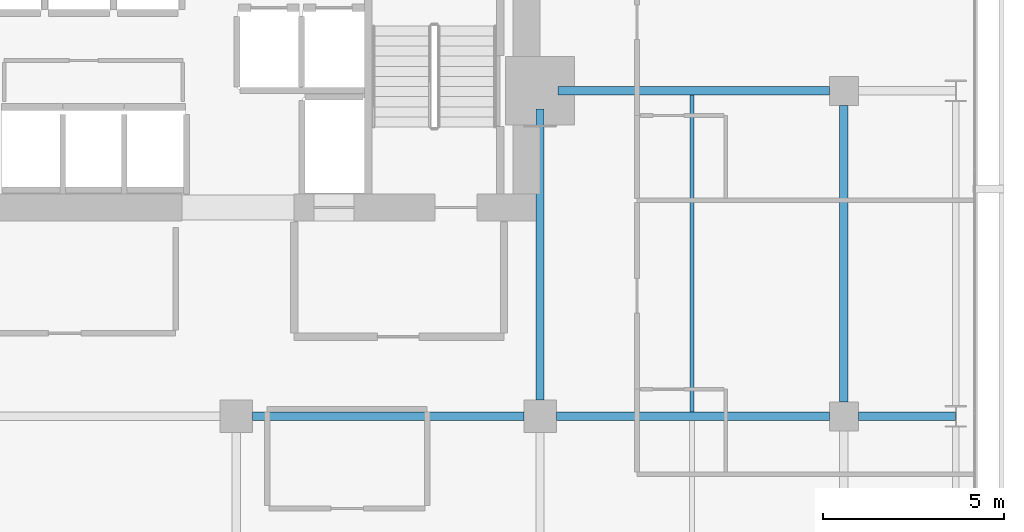
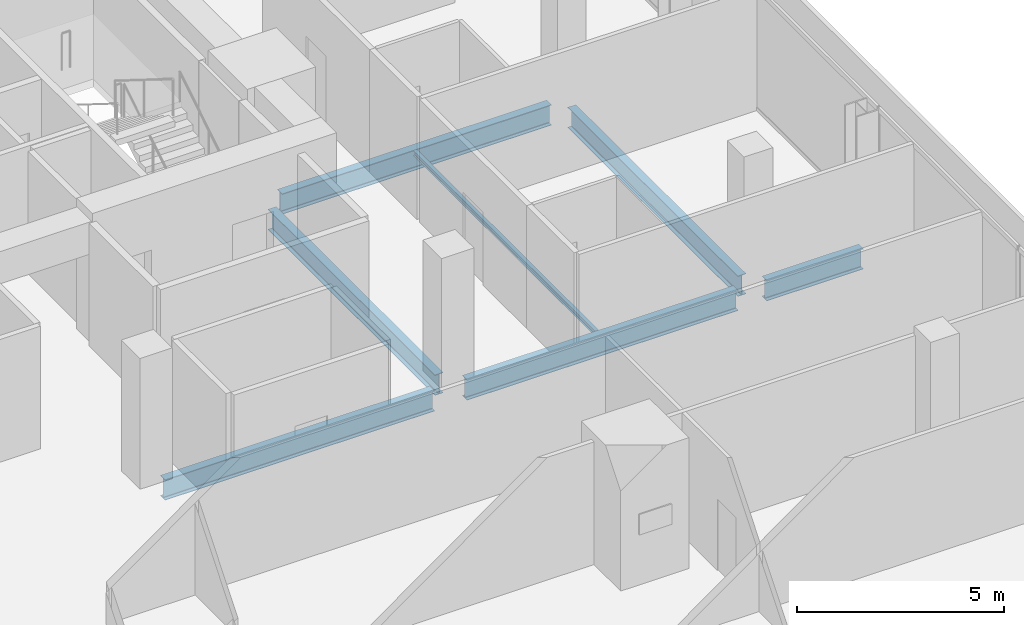
# One storey, part 23 of 34: 7 beams.
"""IFC4 building model written with IfcOpenShell, lengths in metres."""

from ifc_helpers import new_model, si_unit, direction, frame, origin, origin_2d, place, context, subcontext, project, spatial, i_section, extrude, material, material_profile, profile_set, type_object, element, save


model = new_model("IFC4")

# Units and contexts
model_context = context("Model", 3, precision=1e-05, world=origin(), true_north=direction((0.0, 1.0)))
body_context = subcontext(model_context, "Body", "Model", "MODEL_VIEW")
ifc_project = project(units=[si_unit("LENGTHUNIT", "METRE"), si_unit("AREAUNIT", "SQUARE_METRE"), si_unit("VOLUMEUNIT", "CUBIC_METRE"), si_unit("PLANEANGLEUNIT", "RADIAN"), si_unit("MASSUNIT", "GRAM", prefix="KILO")], contexts=[model_context])

# Site, building, storey
site_placement = place(None, origin())
site = spatial("IfcSite", under=ifc_project, at=site_placement, CompositionType="ELEMENT")
building_placement = place(site_placement, origin())
building = spatial("IfcBuilding", under=site, at=building_placement, Name="Maruvema Waterfront Hotel and Observation Tower", CompositionType="ELEMENT")
storey_placement = place(building_placement, frame((0.0, 0.0, 185.14990234375)))
storey = spatial("IfcBuildingStorey", under=building, at=storey_placement, Name="L45", CompositionType="ELEMENT", Elevation=185.14990234375)

# Beams
ifc_material_1 = material(Name="Steel ASTM A572 Grade 50", Category="steel")
ifc_material_profile_1 = material_profile(ifc_material_1, i_section(OverallWidth=0.22802734375, OverallDepth=0.60302734375, WebThickness=0.010498046875, FlangeThickness=0.014892578125, FilletRadius=0.01806640625, at=origin_2d()), Name="W610x101.0")
ifc_profile_set_1 = profile_set([ifc_material_profile_1], Name="Steel ASTM A572 Grade 50")
beam_type_1 = type_object("IfcBeamType", Name="Primary Floor Girder W610x101.0", PredefinedType="BEAM", material=ifc_profile_set_1)
beam_1_placement = place(storey_placement, frame((42.449951171875, 36.0, -0.54150390625), z_axis=(1.0, 0.0, 0.0), x_axis=(0.0, 1.0, 0.0)))
element("IfcBeam", 1, at=beam_1_placement, inside=storey, type_object=beam_type_1, Name="L45 Floor Girder EW-27", PredefinedType="BEAM", context=body_context, shape_type="SweptSolid", body=[
    extrude(i_section(OverallWidth=0.22802734375, OverallDepth=0.60302734375, WebThickness=0.010498046875, FlangeThickness=0.014892578125, FilletRadius=0.01806640625, at=origin_2d()), origin(), (0.0, 0.0, 1.0), 7.5),
])
beam_2_placement = place(storey_placement, frame((50.85009765625, 36.0, -0.54150390625), z_axis=(1.0, 0.0, 0.0), x_axis=(0.0, 1.0, 0.0)))
element("IfcBeam", 2, at=beam_2_placement, inside=storey, type_object=beam_type_1, Name="L45 Floor Girder EW-28", PredefinedType="BEAM", context=body_context, shape_type="SweptSolid", body=[
    extrude(i_section(OverallWidth=0.22802734375, OverallDepth=0.60302734375, WebThickness=0.010498046875, FlangeThickness=0.014892578125, FilletRadius=0.01806640625, at=origin_2d()), origin(), (0.0, 0.0, 1.0), 7.5498046875),
])
beam_3_placement = place(storey_placement, frame((59.199951171875, 36.0, -0.54150390625), z_axis=(1.0, 0.0, 0.0), x_axis=(0.0, 1.0, 0.0)))
element("IfcBeam", 3, at=beam_3_placement, inside=storey, type_object=beam_type_1, Name="L45 Floor Girder EW-29", PredefinedType="BEAM", context=body_context, shape_type="SweptSolid", body=[
    extrude(i_section(OverallWidth=0.22802734375, OverallDepth=0.60302734375, WebThickness=0.010498046875, FlangeThickness=0.014892578125, FilletRadius=0.01806640625, at=origin_2d()), origin(), (0.0, 0.0, 1.0), 2.6875),
])
beam_4_placement = place(storey_placement, frame((50.89990234375, 45.0, -0.54150390625), z_axis=(1.0, 0.0, 0.0), x_axis=(0.0, 1.0, 0.0)))
element("IfcBeam", 4, at=beam_4_placement, inside=storey, type_object=beam_type_1, Name="L45 Floor Girder EW-32", PredefinedType="BEAM", context=body_context, shape_type="SweptSolid", body=[
    extrude(i_section(OverallWidth=0.22802734375, OverallDepth=0.60302734375, WebThickness=0.010498046875, FlangeThickness=0.014892578125, FilletRadius=0.01806640625, at=origin_2d()), origin(), (0.0, 0.0, 1.0), 7.5),
])
beam_5_placement = place(storey_placement, frame((50.39990234375, 36.449951171875, -0.54150390625), z_axis=(0.0, 1.0, 0.0), x_axis=(-1.0, 0.0, 0.0)))
element("IfcBeam", 5, at=beam_5_placement, inside=storey, type_object=beam_type_1, Name="L45 Floor Girder NS-24", PredefinedType="BEAM", context=body_context, shape_type="SweptSolid", body=[
    extrude(i_section(OverallWidth=0.22802734375, OverallDepth=0.60302734375, WebThickness=0.010498046875, FlangeThickness=0.014892578125, FilletRadius=0.01806640625, at=origin_2d()), origin(), (0.0, 0.0, 1.0), 8.050048828125),
])
beam_6_placement = place(storey_placement, frame((58.800048828125, 36.39990234375, -0.54150390625), z_axis=(0.0, 1.0, 0.0), x_axis=(-1.0, 0.0, 0.0)))
element("IfcBeam", 6, at=beam_6_placement, inside=storey, type_object=beam_type_1, Name="L45 Floor Girder NS-28", PredefinedType="BEAM", context=body_context, shape_type="SweptSolid", body=[
    extrude(i_section(OverallWidth=0.22802734375, OverallDepth=0.60302734375, WebThickness=0.010498046875, FlangeThickness=0.014892578125, FilletRadius=0.01806640625, at=origin_2d()), origin(), (0.0, 0.0, 1.0), 8.2001953125),
])
ifc_material_2 = material(Name="Steel ASTM A572 Grade 50", Category="steel")
ifc_material_profile_2 = material_profile(ifc_material_2, i_section(OverallWidth=0.10009765625, OverallDepth=0.153076171875, WebThickness=0.005859375, FlangeThickness=0.007080078125, FilletRadius=0.008056640625, at=origin_2d()), Name="W150x18.0")
ifc_profile_set_2 = profile_set([ifc_material_profile_2], Name="Steel ASTM A572 Grade 50")
beam_type_2 = type_object("IfcBeamType", Name="Secondary Floor Joist W150x18.0", PredefinedType="JOIST", material=ifc_profile_set_2)
beam_7_placement = place(storey_placement, frame((54.60009765625, 36.114013671875, -0.31640625), z_axis=(0.0, 1.0, 0.0), x_axis=(-1.0, 0.0, 0.0)))
element("IfcBeam", 7, at=beam_7_placement, inside=storey, type_object=beam_type_2, Name="L45 Secondary Floor Joist JS-14", PredefinedType="JOIST", context=body_context, shape_type="SweptSolid", body=[
    extrude(i_section(OverallWidth=0.10009765625, OverallDepth=0.153076171875, WebThickness=0.005859375, FlangeThickness=0.007080078125, FilletRadius=0.008056640625, at=origin_2d()), origin(), (0.0, 0.0, 1.0), 8.77197265625),
])

save(model, "model.ifc")
